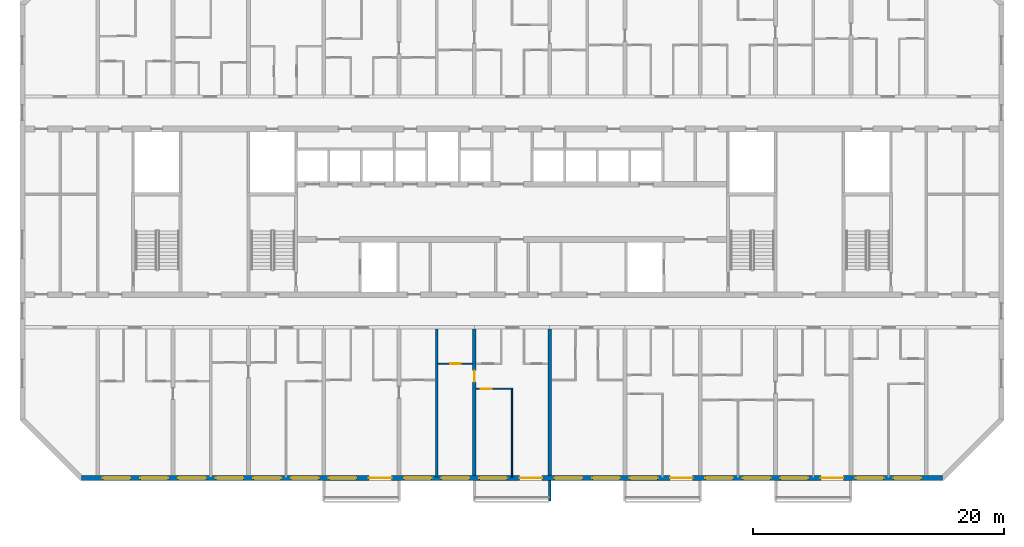
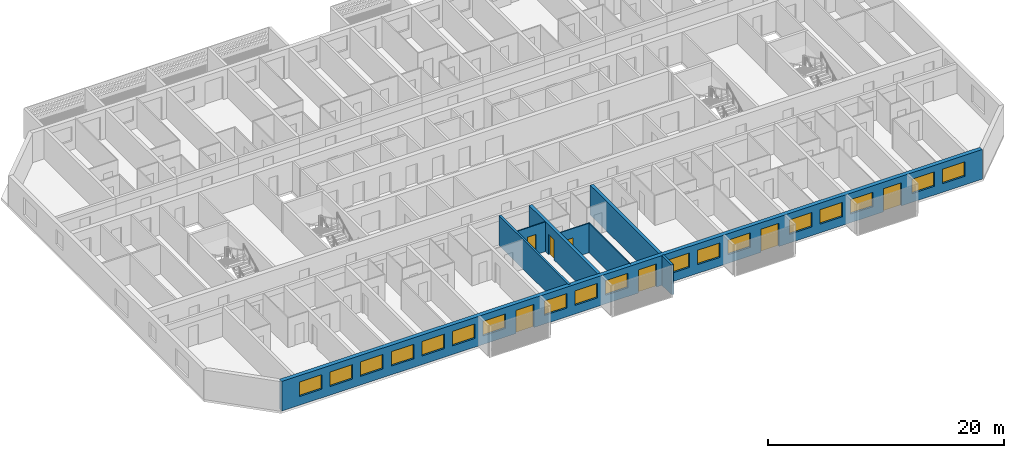
# One storey, part 4 of 32: 18 windows, 8 walls, 7 doors, 25 openings.
"""IFC4 building model written with IfcOpenShell, lengths in metres."""

from ifc_helpers import new_model, si_unit, direction, frame, frame_2d, origin, place, context, subcontext, project, spatial, polyline, rectangle, outline, extrude, source, transform, mapped, material, layer, layer_set, type_object, element, fill, save


model = new_model("IFC4")

# Units and contexts
model_context = context("Model", 3, precision=1e-05, world=origin(), true_north=direction((0.0, 1.0)))
body_context = subcontext(model_context, "Body", "Model", "MODEL_VIEW")
ifc_project = project(units=[si_unit("LENGTHUNIT", "METRE"), si_unit("AREAUNIT", "SQUARE_METRE"), si_unit("VOLUMEUNIT", "CUBIC_METRE"), si_unit("PLANEANGLEUNIT", "RADIAN"), si_unit("MASSUNIT", "GRAM", prefix="KILO")], contexts=[model_context])

# Site, building, storey
site_placement = place(None, origin())
site = spatial("IfcSite", under=ifc_project, at=site_placement, CompositionType="ELEMENT")
building_placement = place(site_placement, origin())
building = spatial("IfcBuilding", under=site, at=building_placement, Name="Poui Terraces", CompositionType="ELEMENT")
storey_placement = place(building_placement, frame((0.0, 0.0, 122.39990234375)))
storey = spatial("IfcBuildingStorey", under=building, at=storey_placement, Name="L33", CompositionType="ELEMENT", Elevation=122.39990234375)

# Wall, opening, door
ifc_material_1 = material(Name="Concrete 65 MPa", Category="concrete")
ifc_layer_1 = layer(ifc_material_1, 0.300048828125)
ifc_layer_set_1 = layer_set([ifc_layer_1], Name="Concrete 65 MPa")
wall_type_1 = type_object("IfcWallType", Name="CROSS WALL 300 65MPa", PredefinedType="SHEAR", material=ifc_layer_set_1)
wall_1_placement = place(storey_placement, frame((48.0, 0.199951171875, 0.0), z_axis=(0.0, 0.0, 1.0), x_axis=(0.0, 1.0, 0.0)))
wall_1 = element("IfcWall", 1, at=wall_1_placement, inside=storey, type_object=wall_type_1, Name="CROSS WALL LINE 9 SOUTH", PredefinedType="SHEAR", context=body_context, shape_type="SweptSolid", body=[
    extrude(rectangle(XDim=11.675048828125, YDim=0.300048828125, at=frame_2d((5.83740234375, 0.0))), origin(), (0.0, 0.0, 1.0), 3.070068359375),
])
opening_1_placement = place(wall_1_placement, frame((7.449951171875, 0.0, 0.0)))
opening_1 = element("IfcOpeningElement", 2, at=opening_1_placement, cuts=wall_1, Name="Opening D90", PredefinedType="OPENING", context=body_context, shape_type="SweptSolid", body=[
    extrude(rectangle(XDim=0.89990234375, YDim=2.10009765625, at=frame_2d((0.449951171875, 1.050048828125))), frame((0.0, 0.16015625, 0.0), z_axis=(0.0, -1.0, 0.0), x_axis=(1.0, 0.0, 0.0)), (0.0, 0.0, 1.0), 0.320068359375),
])
ifc_material_2 = material(Name="Solid core timber door", Category="wood")
door_type_1 = type_object("IfcDoorType", Name="INTERNAL DOOR 900 X 2100", OperationType="NOTDEFINED", PredefinedType="DOOR", material=ifc_material_2)
door_1_placement = place(opening_1_placement, origin())
door_1 = element("IfcDoor", 3, at=door_1_placement, inside=storey, type_object=door_type_1, Name="INTERNAL DOOR 096", OperationType="SINGLE_SWING_RIGHT", OverallHeight=2.10009765625, OverallWidth=0.89990234375, PredefinedType="DOOR", context=body_context, shape_type="SweptSolid", body=[
    extrude(rectangle(XDim=0.89990234375, YDim=2.10009765625, at=frame_2d((0.449951171875, 1.050048828125))), frame((0.0, 0.02490234375, 0.0), z_axis=(0.0, -1.0, 0.0), x_axis=(1.0, 0.0, 0.0)), (0.0, 0.0, 1.0), 0.050048828125),
])
fill(opening_1, door_1)

# Wall
wall_2_placement = place(storey_placement, frame((54.0, 0.199951171875, 0.0), z_axis=(0.0, 0.0, 1.0), x_axis=(0.0, 1.0, 0.0)))
element("IfcWall", 4, at=wall_2_placement, inside=storey, type_object=wall_type_1, Name="CROSS WALL LINE 10 SOUTH", PredefinedType="SHEAR", context=body_context, shape_type="SweptSolid", body=[
    extrude(rectangle(XDim=11.675048828125, YDim=0.300048828125, at=frame_2d((5.83740234375, 0.0))), origin(), (0.0, 0.0, 1.0), 3.070068359375),
])

# Wall, openings, doors, windows
ifc_material_3 = material(Name="Precast concrete 40 MPa", Category="concrete")
ifc_layer_2 = layer(ifc_material_3, 0.39990234375)
ifc_layer_set_2 = layer_set([ifc_layer_2], Name="Precast concrete 40 MPa")
wall_type_2 = type_object("IfcWallType", Name="EXTERNAL WALL 400", PredefinedType="STANDARD", material=ifc_layer_set_2)
wall_3_placement = place(storey_placement, frame((16.682861328125, 0.0, 0.0), z_axis=(0.0, 0.0, 1.0), x_axis=(1.0, 0.0, 0.0)))
wall_3 = element("IfcWall", 5, at=wall_3_placement, inside=storey, type_object=wall_type_2, Name="EXTERNAL WALL S", PredefinedType="STANDARD", context=body_context, shape_type="SweptSolid", body=[
    extrude(rectangle(XDim=68.63427734375, YDim=0.39990234375, at=frame_2d((34.317138671875, 0.0))), origin(), (0.0, 0.0, 1.0), 3.070068359375),
])
opening_2_placement = place(wall_3_placement, frame((1.71728515625, 0.0, 0.89990234375)))
opening_2 = element("IfcOpeningElement", 6, at=opening_2_placement, cuts=wall_3, Name="Opening W1", PredefinedType="OPENING", context=body_context, shape_type="SweptSolid", body=[
    extrude(rectangle(XDim=2.199951171875, YDim=1.5, at=frame_2d((1.10009765625, 0.75))), frame((0.0, 0.2099609375, 0.0), z_axis=(0.0, -1.0, 0.0), x_axis=(1.0, 0.0, 0.0)), (0.0, 0.0, 1.0), 0.419921875),
])
opening_3_placement = place(wall_3_placement, frame((4.71728515625, 0.0, 0.89990234375)))
opening_3 = element("IfcOpeningElement", 7, at=opening_3_placement, cuts=wall_3, Name="Opening W1", PredefinedType="OPENING", context=body_context, shape_type="SweptSolid", body=[
    extrude(rectangle(XDim=2.199951171875, YDim=1.5, at=frame_2d((1.10009765625, 0.75))), frame((0.0, 0.2099609375, 0.0), z_axis=(0.0, -1.0, 0.0), x_axis=(1.0, 0.0, 0.0)), (0.0, 0.0, 1.0), 0.419921875),
])
opening_4_placement = place(wall_3_placement, frame((7.71728515625, 0.0, 0.89990234375)))
opening_4 = element("IfcOpeningElement", 8, at=opening_4_placement, cuts=wall_3, Name="Opening W1", PredefinedType="OPENING", context=body_context, shape_type="SweptSolid", body=[
    extrude(rectangle(XDim=2.199951171875, YDim=1.5, at=frame_2d((1.10009765625, 0.75))), frame((0.0, 0.2099609375, 0.0), z_axis=(0.0, -1.0, 0.0), x_axis=(1.0, 0.0, 0.0)), (0.0, 0.0, 1.0), 0.419921875),
])
opening_5_placement = place(wall_3_placement, frame((10.71728515625, 0.0, 0.89990234375)))
opening_5 = element("IfcOpeningElement", 9, at=opening_5_placement, cuts=wall_3, Name="Opening W1", PredefinedType="OPENING", context=body_context, shape_type="SweptSolid", body=[
    extrude(rectangle(XDim=2.199951171875, YDim=1.5, at=frame_2d((1.10009765625, 0.75))), frame((0.0, 0.2099609375, 0.0), z_axis=(0.0, -1.0, 0.0), x_axis=(1.0, 0.0, 0.0)), (0.0, 0.0, 1.0), 0.419921875),
])
opening_6_placement = place(wall_3_placement, frame((13.71728515625, 0.0, 0.89990234375)))
opening_6 = element("IfcOpeningElement", 10, at=opening_6_placement, cuts=wall_3, Name="Opening W1", PredefinedType="OPENING", context=body_context, shape_type="SweptSolid", body=[
    extrude(rectangle(XDim=2.199951171875, YDim=1.5, at=frame_2d((1.10009765625, 0.75))), frame((0.0, 0.2099609375, 0.0), z_axis=(0.0, -1.0, 0.0), x_axis=(1.0, 0.0, 0.0)), (0.0, 0.0, 1.0), 0.419921875),
])
opening_7_placement = place(wall_3_placement, frame((16.71728515625, 0.0, 0.89990234375)))
opening_7 = element("IfcOpeningElement", 11, at=opening_7_placement, cuts=wall_3, Name="Opening W1", PredefinedType="OPENING", context=body_context, shape_type="SweptSolid", body=[
    extrude(rectangle(XDim=2.199951171875, YDim=1.5, at=frame_2d((1.10009765625, 0.75))), frame((0.0, 0.2099609375, 0.0), z_axis=(0.0, -1.0, 0.0), x_axis=(1.0, 0.0, 0.0)), (0.0, 0.0, 1.0), 0.419921875),
])
opening_8_placement = place(wall_3_placement, frame((19.71728515625, 0.0, 0.89990234375)))
opening_8 = element("IfcOpeningElement", 12, at=opening_8_placement, cuts=wall_3, Name="Opening W1", PredefinedType="OPENING", context=body_context, shape_type="SweptSolid", body=[
    extrude(rectangle(XDim=2.199951171875, YDim=1.5, at=frame_2d((1.10009765625, 0.75))), frame((0.0, 0.2099609375, 0.0), z_axis=(0.0, -1.0, 0.0), x_axis=(1.0, 0.0, 0.0)), (0.0, 0.0, 1.0), 0.419921875),
])
opening_9_placement = place(wall_3_placement, frame((22.917236328125, 0.0, 0.0)))
opening_9 = element("IfcOpeningElement", 13, at=opening_9_placement, cuts=wall_3, Name="Opening BD1", PredefinedType="OPENING", context=body_context, shape_type="SweptSolid", body=[
    extrude(rectangle(XDim=1.800048828125, YDim=2.39990234375, at=frame_2d((0.89990234375, 1.199951171875))), frame((0.0, 0.2099609375, 0.0), z_axis=(0.0, -1.0, 0.0), x_axis=(1.0, 0.0, 0.0)), (0.0, 0.0, 1.0), 0.419921875),
])
opening_10_placement = place(wall_3_placement, frame((25.71728515625, 0.0, 0.89990234375)))
opening_10 = element("IfcOpeningElement", 14, at=opening_10_placement, cuts=wall_3, Name="Opening W1", PredefinedType="OPENING", context=body_context, shape_type="SweptSolid", body=[
    extrude(rectangle(XDim=2.199951171875, YDim=1.5, at=frame_2d((1.10009765625, 0.75))), frame((0.0, 0.2099609375, 0.0), z_axis=(0.0, -1.0, 0.0), x_axis=(1.0, 0.0, 0.0)), (0.0, 0.0, 1.0), 0.419921875),
])
opening_11_placement = place(wall_3_placement, frame((28.71728515625, 0.0, 0.89990234375)))
opening_11 = element("IfcOpeningElement", 15, at=opening_11_placement, cuts=wall_3, Name="Opening W1", PredefinedType="OPENING", context=body_context, shape_type="SweptSolid", body=[
    extrude(rectangle(XDim=2.199951171875, YDim=1.5, at=frame_2d((1.10009765625, 0.75))), frame((0.0, 0.2099609375, 0.0), z_axis=(0.0, -1.0, 0.0), x_axis=(1.0, 0.0, 0.0)), (0.0, 0.0, 1.0), 0.419921875),
])
opening_12_placement = place(wall_3_placement, frame((31.71728515625, 0.0, 0.89990234375)))
opening_12 = element("IfcOpeningElement", 16, at=opening_12_placement, cuts=wall_3, Name="Opening W1", PredefinedType="OPENING", context=body_context, shape_type="SweptSolid", body=[
    extrude(rectangle(XDim=2.199951171875, YDim=1.5, at=frame_2d((1.10009765625, 0.75))), frame((0.0, 0.2099609375, 0.0), z_axis=(0.0, -1.0, 0.0), x_axis=(1.0, 0.0, 0.0)), (0.0, 0.0, 1.0), 0.419921875),
])
opening_13_placement = place(wall_3_placement, frame((34.917236328125, 0.0, 0.0)))
opening_13 = element("IfcOpeningElement", 17, at=opening_13_placement, cuts=wall_3, Name="Opening BD1", PredefinedType="OPENING", context=body_context, shape_type="SweptSolid", body=[
    extrude(rectangle(XDim=1.800048828125, YDim=2.39990234375, at=frame_2d((0.89990234375, 1.199951171875))), frame((0.0, 0.2099609375, 0.0), z_axis=(0.0, -1.0, 0.0), x_axis=(1.0, 0.0, 0.0)), (0.0, 0.0, 1.0), 0.419921875),
])
opening_14_placement = place(wall_3_placement, frame((37.71728515625, 0.0, 0.89990234375)))
opening_14 = element("IfcOpeningElement", 18, at=opening_14_placement, cuts=wall_3, Name="Opening W1", PredefinedType="OPENING", context=body_context, shape_type="SweptSolid", body=[
    extrude(rectangle(XDim=2.199951171875, YDim=1.5, at=frame_2d((1.10009765625, 0.75))), frame((0.0, 0.2099609375, 0.0), z_axis=(0.0, -1.0, 0.0), x_axis=(1.0, 0.0, 0.0)), (0.0, 0.0, 1.0), 0.419921875),
])
opening_15_placement = place(wall_3_placement, frame((40.71728515625, 0.0, 0.89990234375)))
opening_15 = element("IfcOpeningElement", 19, at=opening_15_placement, cuts=wall_3, Name="Opening W1", PredefinedType="OPENING", context=body_context, shape_type="SweptSolid", body=[
    extrude(rectangle(XDim=2.199951171875, YDim=1.5, at=frame_2d((1.10009765625, 0.75))), frame((0.0, 0.2099609375, 0.0), z_axis=(0.0, -1.0, 0.0), x_axis=(1.0, 0.0, 0.0)), (0.0, 0.0, 1.0), 0.419921875),
])
opening_16_placement = place(wall_3_placement, frame((43.71728515625, 0.0, 0.89990234375)))
opening_16 = element("IfcOpeningElement", 20, at=opening_16_placement, cuts=wall_3, Name="Opening W1", PredefinedType="OPENING", context=body_context, shape_type="SweptSolid", body=[
    extrude(rectangle(XDim=2.199951171875, YDim=1.5, at=frame_2d((1.10009765625, 0.75))), frame((0.0, 0.2099609375, 0.0), z_axis=(0.0, -1.0, 0.0), x_axis=(1.0, 0.0, 0.0)), (0.0, 0.0, 1.0), 0.419921875),
])
opening_17_placement = place(wall_3_placement, frame((46.917236328125, 0.0, 0.0)))
opening_17 = element("IfcOpeningElement", 21, at=opening_17_placement, cuts=wall_3, Name="Opening BD1", PredefinedType="OPENING", context=body_context, shape_type="SweptSolid", body=[
    extrude(rectangle(XDim=1.800048828125, YDim=2.39990234375, at=frame_2d((0.89990234375, 1.199951171875))), frame((0.0, 0.2099609375, 0.0), z_axis=(0.0, -1.0, 0.0), x_axis=(1.0, 0.0, 0.0)), (0.0, 0.0, 1.0), 0.419921875),
])
opening_18_placement = place(wall_3_placement, frame((49.71728515625, 0.0, 0.89990234375)))
opening_18 = element("IfcOpeningElement", 22, at=opening_18_placement, cuts=wall_3, Name="Opening W1", PredefinedType="OPENING", context=body_context, shape_type="SweptSolid", body=[
    extrude(rectangle(XDim=2.199951171875, YDim=1.5, at=frame_2d((1.10009765625, 0.75))), frame((0.0, 0.2099609375, 0.0), z_axis=(0.0, -1.0, 0.0), x_axis=(1.0, 0.0, 0.0)), (0.0, 0.0, 1.0), 0.419921875),
])
opening_19_placement = place(wall_3_placement, frame((52.71728515625, 0.0, 0.89990234375)))
opening_19 = element("IfcOpeningElement", 23, at=opening_19_placement, cuts=wall_3, Name="Opening W1", PredefinedType="OPENING", context=body_context, shape_type="SweptSolid", body=[
    extrude(rectangle(XDim=2.199951171875, YDim=1.5, at=frame_2d((1.10009765625, 0.75))), frame((0.0, 0.2099609375, 0.0), z_axis=(0.0, -1.0, 0.0), x_axis=(1.0, 0.0, 0.0)), (0.0, 0.0, 1.0), 0.419921875),
])
opening_20_placement = place(wall_3_placement, frame((55.71728515625, 0.0, 0.89990234375)))
opening_20 = element("IfcOpeningElement", 24, at=opening_20_placement, cuts=wall_3, Name="Opening W1", PredefinedType="OPENING", context=body_context, shape_type="SweptSolid", body=[
    extrude(rectangle(XDim=2.199951171875, YDim=1.5, at=frame_2d((1.10009765625, 0.75))), frame((0.0, 0.2099609375, 0.0), z_axis=(0.0, -1.0, 0.0), x_axis=(1.0, 0.0, 0.0)), (0.0, 0.0, 1.0), 0.419921875),
])
opening_21_placement = place(wall_3_placement, frame((58.917236328125, 0.0, 0.0)))
opening_21 = element("IfcOpeningElement", 25, at=opening_21_placement, cuts=wall_3, Name="Opening BD1", PredefinedType="OPENING", context=body_context, shape_type="SweptSolid", body=[
    extrude(rectangle(XDim=1.800048828125, YDim=2.39990234375, at=frame_2d((0.89990234375, 1.199951171875))), frame((0.0, 0.2099609375, 0.0), z_axis=(0.0, -1.0, 0.0), x_axis=(1.0, 0.0, 0.0)), (0.0, 0.0, 1.0), 0.419921875),
])
opening_22_placement = place(wall_3_placement, frame((61.71728515625, 0.0, 0.89990234375)))
opening_22 = element("IfcOpeningElement", 26, at=opening_22_placement, cuts=wall_3, Name="Opening W1", PredefinedType="OPENING", context=body_context, shape_type="SweptSolid", body=[
    extrude(rectangle(XDim=2.199951171875, YDim=1.5, at=frame_2d((1.10009765625, 0.75))), frame((0.0, 0.2099609375, 0.0), z_axis=(0.0, -1.0, 0.0), x_axis=(1.0, 0.0, 0.0)), (0.0, 0.0, 1.0), 0.419921875),
])
opening_23_placement = place(wall_3_placement, frame((64.71728515625, 0.0, 0.89990234375)))
opening_23 = element("IfcOpeningElement", 27, at=opening_23_placement, cuts=wall_3, Name="Opening W1", PredefinedType="OPENING", context=body_context, shape_type="SweptSolid", body=[
    extrude(rectangle(XDim=2.199951171875, YDim=1.5, at=frame_2d((1.10009765625, 0.75))), frame((0.0, 0.2099609375, 0.0), z_axis=(0.0, -1.0, 0.0), x_axis=(1.0, 0.0, 0.0)), (0.0, 0.0, 1.0), 0.419921875),
])
ifc_material_4 = material(Name="Clear glass in aluminium frame", Category="aluminium")
door_type_2 = type_object("IfcDoorType", Name="BALCONY DOOR 1800X2400", OperationType="DOUBLE_DOOR_SLIDING", PredefinedType="DOOR", material=ifc_material_4)
door_2_placement = place(opening_9_placement, origin())
door_2 = element("IfcDoor", 28, at=door_2_placement, inside=storey, type_object=door_type_2, Name="BD1 BALCONY DOOR", OperationType="DOUBLE_DOOR_SLIDING", OverallHeight=2.39990234375, OverallWidth=1.800048828125, PredefinedType="DOOR", context=body_context, shape_type="SweptSolid", body=[
    extrude(rectangle(XDim=1.800048828125, YDim=2.39990234375, at=frame_2d((0.89990234375, 1.199951171875))), frame((0.0, 0.02490234375, 0.0), z_axis=(0.0, -1.0, 0.0), x_axis=(1.0, 0.0, 0.0)), (0.0, 0.0, 1.0), 0.050048828125),
])
fill(opening_9, door_2)
door_3_placement = place(opening_13_placement, origin())
door_3 = element("IfcDoor", 29, at=door_3_placement, inside=storey, type_object=door_type_2, Name="BD1 BALCONY DOOR", OperationType="DOUBLE_DOOR_SLIDING", OverallHeight=2.39990234375, OverallWidth=1.800048828125, PredefinedType="DOOR", context=body_context, shape_type="SweptSolid", body=[
    extrude(rectangle(XDim=1.800048828125, YDim=2.39990234375, at=frame_2d((0.89990234375, 1.199951171875))), frame((0.0, 0.02490234375, 0.0), z_axis=(0.0, -1.0, 0.0), x_axis=(1.0, 0.0, 0.0)), (0.0, 0.0, 1.0), 0.050048828125),
])
fill(opening_13, door_3)
door_4_placement = place(opening_17_placement, origin())
door_4 = element("IfcDoor", 30, at=door_4_placement, inside=storey, type_object=door_type_2, Name="BD1 BALCONY DOOR", OperationType="DOUBLE_DOOR_SLIDING", OverallHeight=2.39990234375, OverallWidth=1.800048828125, PredefinedType="DOOR", context=body_context, shape_type="SweptSolid", body=[
    extrude(rectangle(XDim=1.800048828125, YDim=2.39990234375, at=frame_2d((0.89990234375, 1.199951171875))), frame((0.0, 0.02490234375, 0.0), z_axis=(0.0, -1.0, 0.0), x_axis=(1.0, 0.0, 0.0)), (0.0, 0.0, 1.0), 0.050048828125),
])
fill(opening_17, door_4)
door_5_placement = place(opening_21_placement, origin())
door_5 = element("IfcDoor", 31, at=door_5_placement, inside=storey, type_object=door_type_2, Name="BD1 BALCONY DOOR", OperationType="DOUBLE_DOOR_SLIDING", OverallHeight=2.39990234375, OverallWidth=1.800048828125, PredefinedType="DOOR", context=body_context, shape_type="SweptSolid", body=[
    extrude(rectangle(XDim=1.800048828125, YDim=2.39990234375, at=frame_2d((0.89990234375, 1.199951171875))), frame((0.0, 0.02490234375, 0.0), z_axis=(0.0, -1.0, 0.0), x_axis=(1.0, 0.0, 0.0)), (0.0, 0.0, 1.0), 0.050048828125),
])
fill(opening_21, door_5)
window_type = type_object("IfcWindowType", Name="WINDOW 2200X1500", PartitioningType="DOUBLE_PANEL_HORIZONTAL", PredefinedType="WINDOW", material=ifc_material_4)
window_1_placement = place(opening_2_placement, origin())
window_1 = element("IfcWindow", 32, at=window_1_placement, inside=storey, type_object=window_type, Name="W1 WINDOW", OverallHeight=1.5, OverallWidth=2.199951171875, PartitioningType="DOUBLE_PANEL_HORIZONTAL", PredefinedType="WINDOW", context=body_context, shape_type="SweptSolid", body=[
    extrude(rectangle(XDim=2.199951171875, YDim=1.5, at=frame_2d((1.10009765625, 0.75))), frame((0.0, 0.030029296875, 0.0), z_axis=(0.0, -1.0, 0.0), x_axis=(1.0, 0.0, 0.0)), (0.0, 0.0, 1.0), 0.06005859375),
])
fill(opening_2, window_1)
window_2_placement = place(opening_3_placement, origin())
window_2 = element("IfcWindow", 33, at=window_2_placement, inside=storey, type_object=window_type, Name="W1 WINDOW", OverallHeight=1.5, OverallWidth=2.199951171875, PartitioningType="DOUBLE_PANEL_HORIZONTAL", PredefinedType="WINDOW", context=body_context, shape_type="SweptSolid", body=[
    extrude(rectangle(XDim=2.199951171875, YDim=1.5, at=frame_2d((1.10009765625, 0.75))), frame((0.0, 0.030029296875, 0.0), z_axis=(0.0, -1.0, 0.0), x_axis=(1.0, 0.0, 0.0)), (0.0, 0.0, 1.0), 0.06005859375),
])
fill(opening_3, window_2)
window_3_placement = place(opening_4_placement, origin())
window_3 = element("IfcWindow", 34, at=window_3_placement, inside=storey, type_object=window_type, Name="W1 WINDOW", OverallHeight=1.5, OverallWidth=2.199951171875, PartitioningType="DOUBLE_PANEL_HORIZONTAL", PredefinedType="WINDOW", context=body_context, shape_type="SweptSolid", body=[
    extrude(rectangle(XDim=2.199951171875, YDim=1.5, at=frame_2d((1.10009765625, 0.75))), frame((0.0, 0.030029296875, 0.0), z_axis=(0.0, -1.0, 0.0), x_axis=(1.0, 0.0, 0.0)), (0.0, 0.0, 1.0), 0.06005859375),
])
fill(opening_4, window_3)
window_4_placement = place(opening_5_placement, origin())
window_4 = element("IfcWindow", 35, at=window_4_placement, inside=storey, type_object=window_type, Name="W1 WINDOW", OverallHeight=1.5, OverallWidth=2.199951171875, PartitioningType="DOUBLE_PANEL_HORIZONTAL", PredefinedType="WINDOW", context=body_context, shape_type="SweptSolid", body=[
    extrude(rectangle(XDim=2.199951171875, YDim=1.5, at=frame_2d((1.10009765625, 0.75))), frame((0.0, 0.030029296875, 0.0), z_axis=(0.0, -1.0, 0.0), x_axis=(1.0, 0.0, 0.0)), (0.0, 0.0, 1.0), 0.06005859375),
])
fill(opening_5, window_4)
window_5_placement = place(opening_6_placement, origin())
window_5 = element("IfcWindow", 36, at=window_5_placement, inside=storey, type_object=window_type, Name="W1 WINDOW", OverallHeight=1.5, OverallWidth=2.199951171875, PartitioningType="DOUBLE_PANEL_HORIZONTAL", PredefinedType="WINDOW", context=body_context, shape_type="SweptSolid", body=[
    extrude(rectangle(XDim=2.199951171875, YDim=1.5, at=frame_2d((1.10009765625, 0.75))), frame((0.0, 0.030029296875, 0.0), z_axis=(0.0, -1.0, 0.0), x_axis=(1.0, 0.0, 0.0)), (0.0, 0.0, 1.0), 0.06005859375),
])
fill(opening_6, window_5)
window_6_placement = place(opening_7_placement, origin())
window_6 = element("IfcWindow", 37, at=window_6_placement, inside=storey, type_object=window_type, Name="W1 WINDOW", OverallHeight=1.5, OverallWidth=2.199951171875, PartitioningType="DOUBLE_PANEL_HORIZONTAL", PredefinedType="WINDOW", context=body_context, shape_type="SweptSolid", body=[
    extrude(rectangle(XDim=2.199951171875, YDim=1.5, at=frame_2d((1.10009765625, 0.75))), frame((0.0, 0.030029296875, 0.0), z_axis=(0.0, -1.0, 0.0), x_axis=(1.0, 0.0, 0.0)), (0.0, 0.0, 1.0), 0.06005859375),
])
fill(opening_7, window_6)
window_7_placement = place(opening_8_placement, origin())
window_7 = element("IfcWindow", 38, at=window_7_placement, inside=storey, type_object=window_type, Name="W1 WINDOW", OverallHeight=1.5, OverallWidth=2.199951171875, PartitioningType="DOUBLE_PANEL_HORIZONTAL", PredefinedType="WINDOW", context=body_context, shape_type="SweptSolid", body=[
    extrude(rectangle(XDim=2.199951171875, YDim=1.5, at=frame_2d((1.10009765625, 0.75))), frame((0.0, 0.030029296875, 0.0), z_axis=(0.0, -1.0, 0.0), x_axis=(1.0, 0.0, 0.0)), (0.0, 0.0, 1.0), 0.06005859375),
])
fill(opening_8, window_7)
window_8_placement = place(opening_10_placement, origin())
window_8 = element("IfcWindow", 39, at=window_8_placement, inside=storey, type_object=window_type, Name="W1 WINDOW", OverallHeight=1.5, OverallWidth=2.199951171875, PartitioningType="DOUBLE_PANEL_HORIZONTAL", PredefinedType="WINDOW", context=body_context, shape_type="SweptSolid", body=[
    extrude(rectangle(XDim=2.199951171875, YDim=1.5, at=frame_2d((1.10009765625, 0.75))), frame((0.0, 0.030029296875, 0.0), z_axis=(0.0, -1.0, 0.0), x_axis=(1.0, 0.0, 0.0)), (0.0, 0.0, 1.0), 0.06005859375),
])
fill(opening_10, window_8)
window_9_placement = place(opening_11_placement, origin())
window_9 = element("IfcWindow", 40, at=window_9_placement, inside=storey, type_object=window_type, Name="W1 WINDOW", OverallHeight=1.5, OverallWidth=2.199951171875, PartitioningType="DOUBLE_PANEL_HORIZONTAL", PredefinedType="WINDOW", context=body_context, shape_type="SweptSolid", body=[
    extrude(rectangle(XDim=2.199951171875, YDim=1.5, at=frame_2d((1.10009765625, 0.75))), frame((0.0, 0.030029296875, 0.0), z_axis=(0.0, -1.0, 0.0), x_axis=(1.0, 0.0, 0.0)), (0.0, 0.0, 1.0), 0.06005859375),
])
fill(opening_11, window_9)
window_10_placement = place(opening_12_placement, origin())
window_10 = element("IfcWindow", 41, at=window_10_placement, inside=storey, type_object=window_type, Name="W1 WINDOW", OverallHeight=1.5, OverallWidth=2.199951171875, PartitioningType="DOUBLE_PANEL_HORIZONTAL", PredefinedType="WINDOW", context=body_context, shape_type="SweptSolid", body=[
    extrude(rectangle(XDim=2.199951171875, YDim=1.5, at=frame_2d((1.10009765625, 0.75))), frame((0.0, 0.030029296875, 0.0), z_axis=(0.0, -1.0, 0.0), x_axis=(1.0, 0.0, 0.0)), (0.0, 0.0, 1.0), 0.06005859375),
])
fill(opening_12, window_10)
window_11_placement = place(opening_14_placement, origin())
window_11 = element("IfcWindow", 42, at=window_11_placement, inside=storey, type_object=window_type, Name="W1 WINDOW", OverallHeight=1.5, OverallWidth=2.199951171875, PartitioningType="DOUBLE_PANEL_HORIZONTAL", PredefinedType="WINDOW", context=body_context, shape_type="SweptSolid", body=[
    extrude(rectangle(XDim=2.199951171875, YDim=1.5, at=frame_2d((1.10009765625, 0.75))), frame((0.0, 0.030029296875, 0.0), z_axis=(0.0, -1.0, 0.0), x_axis=(1.0, 0.0, 0.0)), (0.0, 0.0, 1.0), 0.06005859375),
])
fill(opening_14, window_11)
window_12_placement = place(opening_15_placement, origin())
window_12 = element("IfcWindow", 43, at=window_12_placement, inside=storey, type_object=window_type, Name="W1 WINDOW", OverallHeight=1.5, OverallWidth=2.199951171875, PartitioningType="DOUBLE_PANEL_HORIZONTAL", PredefinedType="WINDOW", context=body_context, shape_type="SweptSolid", body=[
    extrude(rectangle(XDim=2.199951171875, YDim=1.5, at=frame_2d((1.10009765625, 0.75))), frame((0.0, 0.030029296875, 0.0), z_axis=(0.0, -1.0, 0.0), x_axis=(1.0, 0.0, 0.0)), (0.0, 0.0, 1.0), 0.06005859375),
])
fill(opening_15, window_12)
window_13_placement = place(opening_16_placement, origin())
window_13 = element("IfcWindow", 44, at=window_13_placement, inside=storey, type_object=window_type, Name="W1 WINDOW", OverallHeight=1.5, OverallWidth=2.199951171875, PartitioningType="DOUBLE_PANEL_HORIZONTAL", PredefinedType="WINDOW", context=body_context, shape_type="SweptSolid", body=[
    extrude(rectangle(XDim=2.199951171875, YDim=1.5, at=frame_2d((1.10009765625, 0.75))), frame((0.0, 0.030029296875, 0.0), z_axis=(0.0, -1.0, 0.0), x_axis=(1.0, 0.0, 0.0)), (0.0, 0.0, 1.0), 0.06005859375),
])
fill(opening_16, window_13)
window_14_placement = place(opening_18_placement, origin())
window_14 = element("IfcWindow", 45, at=window_14_placement, inside=storey, type_object=window_type, Name="W1 WINDOW", OverallHeight=1.5, OverallWidth=2.199951171875, PartitioningType="DOUBLE_PANEL_HORIZONTAL", PredefinedType="WINDOW", context=body_context, shape_type="SweptSolid", body=[
    extrude(rectangle(XDim=2.199951171875, YDim=1.5, at=frame_2d((1.10009765625, 0.75))), frame((0.0, 0.030029296875, 0.0), z_axis=(0.0, -1.0, 0.0), x_axis=(1.0, 0.0, 0.0)), (0.0, 0.0, 1.0), 0.06005859375),
])
fill(opening_18, window_14)
window_15_placement = place(opening_19_placement, origin())
window_15 = element("IfcWindow", 46, at=window_15_placement, inside=storey, type_object=window_type, Name="W1 WINDOW", OverallHeight=1.5, OverallWidth=2.199951171875, PartitioningType="DOUBLE_PANEL_HORIZONTAL", PredefinedType="WINDOW", context=body_context, shape_type="SweptSolid", body=[
    extrude(rectangle(XDim=2.199951171875, YDim=1.5, at=frame_2d((1.10009765625, 0.75))), frame((0.0, 0.030029296875, 0.0), z_axis=(0.0, -1.0, 0.0), x_axis=(1.0, 0.0, 0.0)), (0.0, 0.0, 1.0), 0.06005859375),
])
fill(opening_19, window_15)
window_16_placement = place(opening_20_placement, origin())
window_16 = element("IfcWindow", 47, at=window_16_placement, inside=storey, type_object=window_type, Name="W1 WINDOW", OverallHeight=1.5, OverallWidth=2.199951171875, PartitioningType="DOUBLE_PANEL_HORIZONTAL", PredefinedType="WINDOW", context=body_context, shape_type="SweptSolid", body=[
    extrude(rectangle(XDim=2.199951171875, YDim=1.5, at=frame_2d((1.10009765625, 0.75))), frame((0.0, 0.030029296875, 0.0), z_axis=(0.0, -1.0, 0.0), x_axis=(1.0, 0.0, 0.0)), (0.0, 0.0, 1.0), 0.06005859375),
])
fill(opening_20, window_16)
window_17_placement = place(opening_22_placement, origin())
window_17 = element("IfcWindow", 48, at=window_17_placement, inside=storey, type_object=window_type, Name="W1 WINDOW", OverallHeight=1.5, OverallWidth=2.199951171875, PartitioningType="DOUBLE_PANEL_HORIZONTAL", PredefinedType="WINDOW", context=body_context, shape_type="SweptSolid", body=[
    extrude(rectangle(XDim=2.199951171875, YDim=1.5, at=frame_2d((1.10009765625, 0.75))), frame((0.0, 0.030029296875, 0.0), z_axis=(0.0, -1.0, 0.0), x_axis=(1.0, 0.0, 0.0)), (0.0, 0.0, 1.0), 0.06005859375),
])
fill(opening_22, window_17)
window_18_placement = place(opening_23_placement, origin())
window_18 = element("IfcWindow", 49, at=window_18_placement, inside=storey, type_object=window_type, Name="W1 WINDOW", OverallHeight=1.5, OverallWidth=2.199951171875, PartitioningType="DOUBLE_PANEL_HORIZONTAL", PredefinedType="WINDOW", context=body_context, shape_type="SweptSolid", body=[
    extrude(rectangle(XDim=2.199951171875, YDim=1.5, at=frame_2d((1.10009765625, 0.75))), frame((0.0, 0.030029296875, 0.0), z_axis=(0.0, -1.0, 0.0), x_axis=(1.0, 0.0, 0.0)), (0.0, 0.0, 1.0), 0.06005859375),
])
fill(opening_23, window_18)

# Wall, opening, door
ifc_material_5 = material(Name="Plasterboard partition")
ifc_layer_3 = layer(ifc_material_5, 0.10009765625)
ifc_layer_set_3 = layer_set([ifc_layer_3], Name="Plasterboard partition")
wall_type_3 = type_object("IfcWallType", Name="FLAT PARTITION 100", PredefinedType="PARTITIONING", material=ifc_layer_set_3)
wall_4_placement = place(storey_placement, frame((48.159912109375, 7.10009765625, 0.0), z_axis=(0.0, 0.0, 1.0), x_axis=(1.0, 0.0, 0.0)))
wall_4 = element("IfcWall", 50, at=wall_4_placement, inside=storey, type_object=wall_type_3, Name="FLAT PARTITION 100", PredefinedType="PARTITIONING", context=body_context, shape_type="SweptSolid", body=[
    extrude(rectangle(XDim=2.89013671875, YDim=0.10009765625, at=frame_2d((1.445068359375, 0.0))), origin(), (0.0, 0.0, 1.0), 3.070068359375),
])
opening_24_placement = place(wall_4_placement, frame((0.340087890625, 0.0, 0.0)))
opening_24 = element("IfcOpeningElement", 51, at=opening_24_placement, cuts=wall_4, Name="Opening D90", PredefinedType="OPENING", context=body_context, shape_type="SweptSolid", body=[
    extrude(rectangle(XDim=0.89990234375, YDim=2.10009765625, at=frame_2d((0.449951171875, 1.050048828125))), frame((0.0, 0.06005859375, 0.0), z_axis=(0.0, -1.0, 0.0), x_axis=(1.0, 0.0, 0.0)), (0.0, 0.0, 1.0), 0.1201171875),
])
door_6_placement = place(opening_24_placement, origin())
door_6 = element("IfcDoor", 52, at=door_6_placement, inside=storey, type_object=door_type_1, Name="INTERNAL DOOR 097", OperationType="SINGLE_SWING_RIGHT", OverallHeight=2.10009765625, OverallWidth=0.89990234375, PredefinedType="DOOR", context=body_context, shape_type="SweptSolid", body=[
    extrude(rectangle(XDim=0.89990234375, YDim=2.10009765625, at=frame_2d((0.449951171875, 1.050048828125))), frame((0.0, 0.02490234375, 0.0), z_axis=(0.0, -1.0, 0.0), x_axis=(1.0, 0.0, 0.0)), (0.0, 0.0, 1.0), 0.050048828125),
])
fill(opening_24, door_6)

wall_5_placement = place(storey_placement, frame((45.10009765625, 9.10009765625, 0.0), z_axis=(0.0, 0.0, 1.0), x_axis=(1.0, 0.0, 0.0)))
wall_5 = element("IfcWall", 53, at=wall_5_placement, inside=storey, type_object=wall_type_3, Name="FLAT PARTITION 100", PredefinedType="PARTITIONING", context=body_context, shape_type="SweptSolid", body=[
    extrude(rectangle(XDim=2.739990234375, YDim=0.10009765625, at=frame_2d((1.3701171875, 0.0))), origin(), (0.0, 0.0, 1.0), 3.070068359375),
])
opening_25_placement = place(wall_5_placement, frame((1.0, 0.0, 0.0)))
opening_25 = element("IfcOpeningElement", 54, at=opening_25_placement, cuts=wall_5, Name="Opening D80", PredefinedType="OPENING", context=body_context, shape_type="SweptSolid", body=[
    extrude(rectangle(XDim=0.800048828125, YDim=2.10009765625, at=frame_2d((0.39990234375, 1.050048828125))), frame((0.0, 0.06005859375, 0.0), z_axis=(0.0, -1.0, 0.0), x_axis=(1.0, 0.0, 0.0)), (0.0, 0.0, 1.0), 0.1201171875),
])
door_type_3 = type_object("IfcDoorType", Name="BATHROOM, LAUNDRY AND STORE DOOR 800 X 2100", OperationType="NOTDEFINED", PredefinedType="DOOR", material=ifc_material_2)
door_7_placement = place(opening_25_placement, origin())
door_7 = element("IfcDoor", 55, at=door_7_placement, inside=storey, type_object=door_type_3, Name="BATHROOM, LAUNDRY AND STORE DOOR 095", OperationType="SINGLE_SWING_LEFT", OverallHeight=2.10009765625, OverallWidth=0.800048828125, PredefinedType="DOOR", context=body_context, shape_type="SweptSolid", body=[
    extrude(rectangle(XDim=0.800048828125, YDim=2.10009765625, at=frame_2d((0.39990234375, 1.050048828125))), frame((0.0, 0.02490234375, 0.0), z_axis=(0.0, -1.0, 0.0), x_axis=(1.0, 0.0, 0.0)), (0.0, 0.0, 1.0), 0.050048828125),
])
fill(opening_25, door_7)

# Walls
wall_6_placement = place(storey_placement, frame((51.0, 0.06005859375, 0.0), z_axis=(0.0, 0.0, 1.0), x_axis=(0.0, 1.0, 0.0)))
element("IfcWall", 56, at=wall_6_placement, inside=storey, type_object=wall_type_3, Name="FLAT PARTITION 100", PredefinedType="PARTITIONING", context=body_context, shape_type="SweptSolid", body=[
    extrude(rectangle(XDim=6.989990234375, YDim=0.10009765625, at=frame_2d((3.4951171875, 0.0))), origin(), (0.0, 0.0, 1.0), 3.070068359375),
])
ifc_material_6 = material(Name="Fire-rated masonry wall", Category="masonry")
ifc_layer_4 = layer(ifc_material_6, 0.199951171875)
ifc_layer_set_4 = layer_set([ifc_layer_4], Name="Fire-rated masonry wall")
wall_type_4 = type_object("IfcWallType", Name="FLAT PARTY WALL 200", PredefinedType="PARTITIONING", material=ifc_layer_set_4)
wall_7_placement = place(storey_placement, frame((45.0, 0.06005859375, 0.0), z_axis=(0.0, 0.0, 1.0), x_axis=(0.0, 1.0, 0.0)))
element("IfcWall", 57, at=wall_7_placement, inside=storey, type_object=wall_type_4, Name="FLAT PARTY WALL 200", PredefinedType="PARTITIONING", context=body_context, shape_type="SweptSolid", body=[
    extrude(rectangle(XDim=11.804931640625, YDim=0.199951171875, at=frame_2d((5.90234375, 0.0))), origin(), (0.0, 0.0, 1.0), 3.070068359375),
])
ifc_layer_5 = layer(ifc_material_3, 0.199951171875)
ifc_layer_set_5 = layer_set([ifc_layer_5], Name="Precast concrete 40 MPa")
wall_type_5 = type_object("IfcWallType", Name="REAR FIN 200", PredefinedType="STANDARD", material=ifc_layer_set_5)
shared_shape = source(origin(), body_context, "Body", "SweptSolid", [
    extrude(outline(polyline([(0.0, 0.0), (0.2001953125, 0.0), (0.2001953125, 1.650146484375), (0.0, 1.650146484375), (0.0, 0.0)])), origin(), (0.0, 0.0, 1.0), 3.10009765625),
])
wall_8_placement = place(storey_placement, frame((53.89990234375, -1.85009765625, 0.0)))
element("IfcWall", 58, at=wall_8_placement, inside=storey, type_object=wall_type_5, Name="REAR FIN", PredefinedType="STANDARD", context=body_context, shape_type="MappedRepresentation", body=[
    mapped(shared_shape, transform((0.0, 0.0, 0.0))),
])

save(model, "model.ifc")
